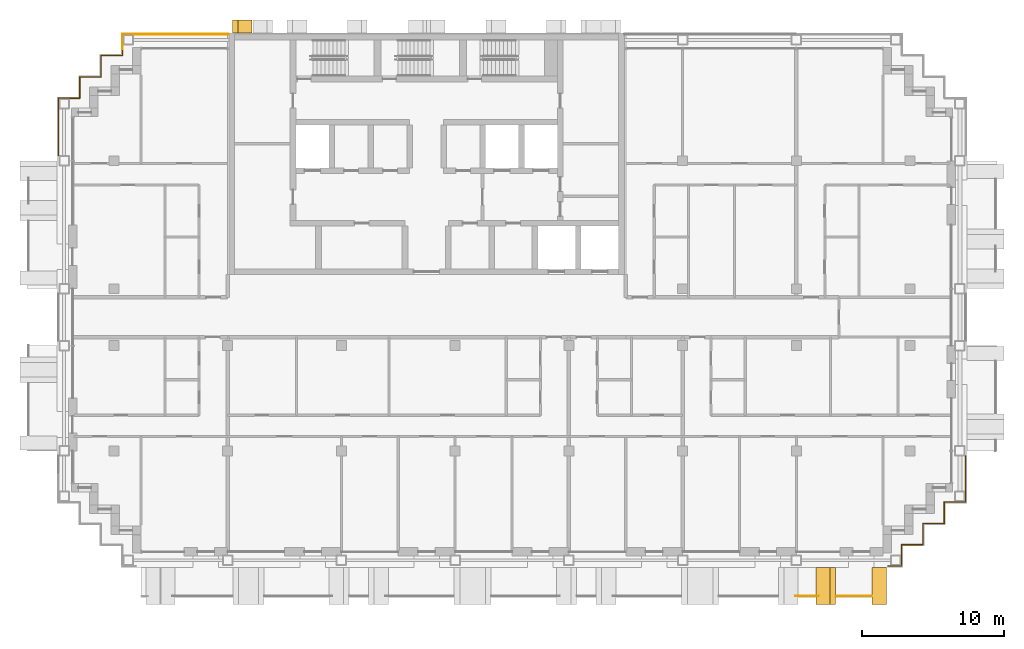
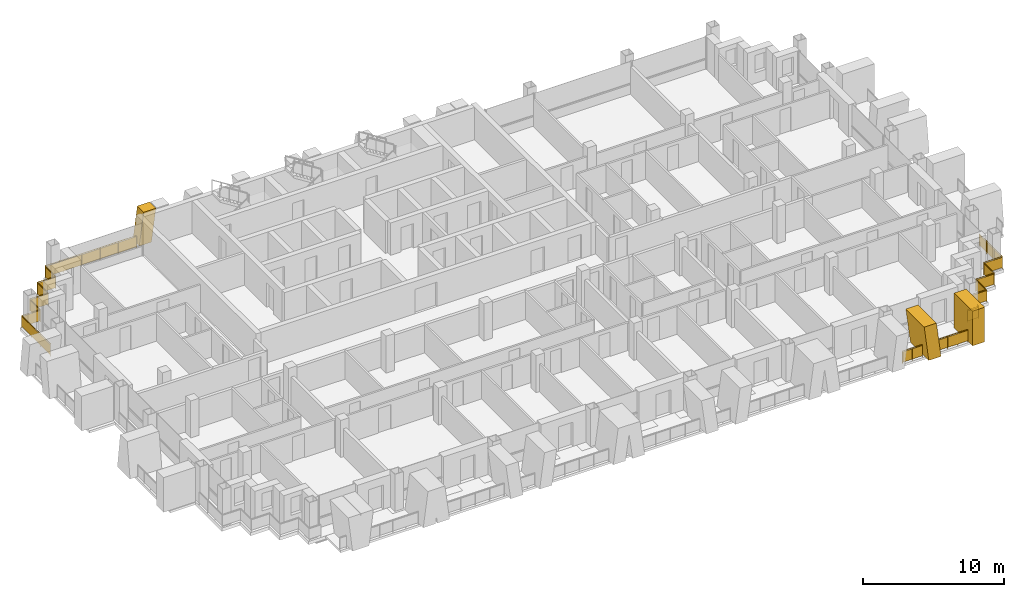
# One storey, part 14 of 16: 6 railings, 3 shading devices.
"""IFC4 building model written with IfcOpenShell, lengths in metres."""

from ifc_helpers import new_model, si_unit, direction, frame, origin, origin_2d, place, context, subcontext, project, spatial, polyline, rectangle, circle, outline, extrude, material, layer, layer_set, type_object, element, save


model = new_model("IFC4")

# Units and contexts
model_context = context("Model", 3, precision=1e-05, world=origin(), true_north=direction((0.0, 1.0)))
body_context = subcontext(model_context, "Body", "Model", "MODEL_VIEW")
ifc_project = project(units=[si_unit("LENGTHUNIT", "METRE"), si_unit("AREAUNIT", "SQUARE_METRE"), si_unit("VOLUMEUNIT", "CUBIC_METRE"), si_unit("PLANEANGLEUNIT", "RADIAN"), si_unit("MASSUNIT", "GRAM", prefix="KILO")], contexts=[model_context])

# Site, building, storey
site_placement = place(None, origin())
site = spatial("IfcSite", under=ifc_project, at=site_placement, CompositionType="ELEMENT")
building_placement = place(site_placement, origin())
building = spatial("IfcBuilding", under=site, at=building_placement, Name="Vidyagriha Tower", CompositionType="ELEMENT")
storey_placement = place(building_placement, frame((0.0, 0.0, 190.89990234375)))
storey = spatial("IfcBuildingStorey", under=building, at=storey_placement, Name="L50", CompositionType="ELEMENT", Elevation=190.89990234375)

# Railings
ifc_material_1 = material(Name="Steel ASTM A500 Grade C black painted", Category="steel")
railing_type_1 = type_object("IfcRailingType", Name="Balcony guard 1100", PredefinedType="BALUSTRADE", material=ifc_material_1)
railing_1_placement = place(storey_placement, frame((25.94384765625, -19.60009765625, 0.0)))
element("IfcRailing", 1, at=railing_1_placement, inside=storey, type_object=railing_type_1, Name="Balcony guard L50 R23.1-10", PredefinedType="BALUSTRADE", context=body_context, shape_type="SweptSolid", body=[
    extrude(circle(Radius=0.02490234375, at=origin_2d()), frame((0.0, 0.0, 1.0751953125), z_axis=(1.0, 0.0, 0.0), x_axis=(0.0, 1.0, 0.0)), (0.0, 0.0, 1.0), 1.6123046875),
    extrude(circle(Radius=0.02001953125, at=origin_2d()), origin(), (0.0, 0.0, 1.0), 1.050048828125),
    extrude(circle(Radius=0.02001953125, at=origin_2d()), frame((0.80615234375, 0.0, 0.0)), (0.0, 0.0, 1.0), 1.050048828125),
    extrude(circle(Radius=0.02001953125, at=origin_2d()), frame((1.6123046875, 0.0, 0.0)), (0.0, 0.0, 1.0), 1.050048828125),
    extrude(rectangle(XDim=0.010009765625, YDim=0.900146484375, at=origin_2d()), frame((0.0, 0.0, 0.550048828125), z_axis=(1.0, 0.0, 0.0), x_axis=(0.0, 1.0, 0.0)), (0.0, 0.0, 1.0), 1.6123046875),
])
railing_2_placement = place(storey_placement, frame((28.800048828125, -19.60009765625, 0.0)))
element("IfcRailing", 2, at=railing_2_placement, inside=storey, type_object=railing_type_1, Name="Balcony guard L50 R23.1-11", PredefinedType="BALUSTRADE", context=body_context, shape_type="SweptSolid", body=[
    extrude(circle(Radius=0.02490234375, at=origin_2d()), frame((0.0, 0.0, 1.0751953125), z_axis=(1.0, 0.0, 0.0), x_axis=(0.0, 1.0, 0.0)), (0.0, 0.0, 1.0), 2.474853515625),
    extrude(circle(Radius=0.02001953125, at=origin_2d()), origin(), (0.0, 0.0, 1.0), 1.050048828125),
    extrude(circle(Radius=0.02001953125, at=origin_2d()), frame((0.824951171875, 0.0, 0.0)), (0.0, 0.0, 1.0), 1.050048828125),
    extrude(circle(Radius=0.02001953125, at=origin_2d()), frame((1.64990234375, 0.0, 0.0)), (0.0, 0.0, 1.0), 1.050048828125),
    extrude(circle(Radius=0.02001953125, at=origin_2d()), frame((2.474853515625, 0.0, 0.0)), (0.0, 0.0, 1.0), 1.050048828125),
    extrude(rectangle(XDim=0.010009765625, YDim=0.900146484375, at=origin_2d()), frame((0.0, 0.0, 0.550048828125), z_axis=(1.0, 0.0, 0.0), x_axis=(0.0, 1.0, 0.0)), (0.0, 0.0, 1.0), 2.474853515625),
])

# Shading devices
ifc_material_2 = material(Name="Precast concrete C40/50 with buff brick facing", Category="concrete")
ifc_layer_1 = layer(ifc_material_2, 1.0)
ifc_layer_set_1 = layer_set([ifc_layer_1], Name="Precast concrete C40/50 with buff brick facing")
shading_device_type_1 = type_object("IfcShadingDeviceType", Name="Brick-faced blade fin arm leaning 8 degrees", PredefinedType="USERDEFINED", material=ifc_layer_set_1)
shading_device_1_placement = place(storey_placement, frame((27.375, -18.89990234375, 0.0)))
element("IfcShadingDevice", 3, at=shading_device_1_placement, inside=storey, type_object=shading_device_type_1, Name="Leaning blade fin L50 R23.4610a", ObjectType="BLADE FIN", PredefinedType="USERDEFINED", context=body_context, shape_type="SweptSolid", body=[
    extrude(outline(polyline([(0.375, 0.0), (1.375, 0.0), (1.0, 3.0), (0.0, 3.0), (0.375, 0.0)])), frame((0.0, 1.300048828125, 0.0), z_axis=(0.0, -1.0, 0.0), x_axis=(1.0, 0.0, 0.0)), (0.0, 0.0, 1.0), 2.60009765625),
])
ifc_material_3 = material(Name="Precast concrete C40/50 with buff brick facing", Category="concrete")
ifc_layer_2 = layer(ifc_material_3, 1.0)
ifc_layer_set_2 = layer_set([ifc_layer_2], Name="Precast concrete C40/50 with buff brick facing")
shading_device_type_2 = type_object("IfcShadingDeviceType", Name="Brick-faced blade fin stem 1000", PredefinedType="USERDEFINED", material=ifc_layer_set_2)
shading_device_2_placement = place(storey_placement, frame((31.324951171875, -18.89990234375, 0.0)))
element("IfcShadingDevice", 4, at=shading_device_2_placement, inside=storey, type_object=shading_device_type_2, Name="Stem blade fin L50 R23.5220a", ObjectType="BLADE FIN", PredefinedType="USERDEFINED", context=body_context, shape_type="SweptSolid", body=[
    extrude(outline(polyline([(0.0, 0.0), (1.0, 0.0), (1.0, 3.0), (0.0, 3.0), (0.0, 0.0)])), frame((0.0, 1.300048828125, 0.0), z_axis=(0.0, -1.0, 0.0), x_axis=(1.0, 0.0, 0.0)), (0.0, 0.0, 1.0), 2.60009765625),
])
ifc_material_4 = material(Name="Precast concrete C40/50 with brick facing", Category="concrete")
ifc_layer_3 = layer(ifc_material_4, 1.0)
ifc_layer_set_3 = layer_set([ifc_layer_3], Name="Precast concrete C40/50 with brick facing")
shading_device_type_3 = type_object("IfcShadingDeviceType", Name="Brick-faced rear rib arm leaning 8 degrees", PredefinedType="USERDEFINED", material=ifc_layer_set_3)
shading_device_3_placement = place(storey_placement, frame((-12.28564453125, 20.449951171875, 0.0), z_axis=(0.0, 0.0, 1.0), x_axis=(-1.0, 0.0, 0.0)))
element("IfcShadingDevice", 5, at=shading_device_3_placement, inside=storey, type_object=shading_device_type_3, Name="Rear rib arm L50 R08.5a", ObjectType="BLADE FIN", PredefinedType="USERDEFINED", context=body_context, shape_type="SweptSolid", body=[
    extrude(outline(polyline([(0.357177734375, 0.0), (1.357177734375, 0.0), (1.0, 2.800048828125), (0.0, 2.800048828125), (0.357177734375, 0.0)])), frame((0.0, 0.449951171875, 0.0), z_axis=(0.0, -1.0, 0.0), x_axis=(1.0, 0.0, 0.0)), (0.0, 0.0, 1.0), 0.89990234375),
])

# Railings
ifc_material_5 = material(Name="Steel ASTM A500 Grade C black painted", Category="steel")
railing_type_2 = type_object("IfcRailingType", Name="Gallery guard 1100", PredefinedType="GUARDRAIL", material=ifc_material_5)
railing_3_placement = place(storey_placement, frame((-25.89990234375, 11.360107421875, 0.0)))
element("IfcRailing", 6, at=railing_3_placement, inside=storey, type_object=railing_type_2, Name="Gallery guard L50 4", PredefinedType="GUARDRAIL", context=body_context, shape_type="SweptSolid", body=[
    extrude(circle(Radius=0.02490234375, at=origin_2d()), frame((0.0, 0.0, 1.0751953125), z_axis=(0.0, 1.0, 0.0), x_axis=(-1.0, 0.0, 0.0)), (0.0, 0.0, 1.0), 4.039794921875),
    extrude(circle(Radius=0.02490234375, at=origin_2d()), frame((0.0, 4.039794921875, 1.0751953125), z_axis=(1.0, 0.0, 0.0), x_axis=(0.0, 1.0, 0.0)), (0.0, 0.0, 1.0), 1.5),
    extrude(circle(Radius=0.02490234375, at=origin_2d()), frame((1.5, 4.039794921875, 1.0751953125), z_axis=(0.0, 1.0, 0.0), x_axis=(-1.0, 0.0, 0.0)), (0.0, 0.0, 1.0), 1.5),
    extrude(circle(Radius=0.02490234375, at=origin_2d()), frame((1.5, 5.539794921875, 1.0751953125), z_axis=(1.0, 0.0, 0.0), x_axis=(0.0, 1.0, 0.0)), (0.0, 0.0, 1.0), 1.5),
    extrude(circle(Radius=0.02490234375, at=origin_2d()), frame((3.0, 5.539794921875, 1.0751953125), z_axis=(0.0, 1.0, 0.0), x_axis=(-1.0, 0.0, 0.0)), (0.0, 0.0, 1.0), 1.5),
    extrude(circle(Radius=0.02490234375, at=origin_2d()), frame((3.0, 7.039794921875, 1.0751953125), z_axis=(1.0, 0.0, 0.0), x_axis=(0.0, 1.0, 0.0)), (0.0, 0.0, 1.0), 1.5),
    extrude(circle(Radius=0.02490234375, at=origin_2d()), frame((4.5, 7.039794921875, 1.0751953125), z_axis=(0.0, 1.0, 0.0), x_axis=(-1.0, 0.0, 0.0)), (0.0, 0.0, 1.0), 0.460205078125),
    extrude(circle(Radius=0.02001953125, at=origin_2d()), origin(), (0.0, 0.0, 1.0), 1.050048828125),
    extrude(circle(Radius=0.02001953125, at=origin_2d()), frame((0.0, 1.3466796875, 0.0)), (0.0, 0.0, 1.0), 1.050048828125),
    extrude(circle(Radius=0.02001953125, at=origin_2d()), frame((0.0, 2.693115234375, 0.0)), (0.0, 0.0, 1.0), 1.050048828125),
    extrude(circle(Radius=0.02001953125, at=origin_2d()), frame((0.0, 4.039794921875, 0.0)), (0.0, 0.0, 1.0), 1.050048828125),
    extrude(circle(Radius=0.02001953125, at=origin_2d()), frame((1.5, 4.039794921875, 0.0)), (0.0, 0.0, 1.0), 1.050048828125),
    extrude(circle(Radius=0.02001953125, at=origin_2d()), frame((1.5, 5.539794921875, 0.0)), (0.0, 0.0, 1.0), 1.050048828125),
    extrude(circle(Radius=0.02001953125, at=origin_2d()), frame((3.0, 5.539794921875, 0.0)), (0.0, 0.0, 1.0), 1.050048828125),
    extrude(circle(Radius=0.02001953125, at=origin_2d()), frame((3.0, 7.039794921875, 0.0)), (0.0, 0.0, 1.0), 1.050048828125),
    extrude(circle(Radius=0.02001953125, at=origin_2d()), frame((4.5, 7.039794921875, 0.0)), (0.0, 0.0, 1.0), 1.050048828125),
    extrude(circle(Radius=0.02001953125, at=origin_2d()), frame((4.5, 7.5, 0.0)), (0.0, 0.0, 1.0), 1.050048828125),
    extrude(rectangle(XDim=0.010009765625, YDim=0.900146484375, at=origin_2d()), frame((0.0, 0.0, 0.550048828125), z_axis=(0.0, 1.0, 0.0), x_axis=(-1.0, 0.0, 0.0)), (0.0, 0.0, 1.0), 4.039794921875),
    extrude(rectangle(XDim=0.010009765625, YDim=0.900146484375, at=origin_2d()), frame((0.0, 4.039794921875, 0.550048828125), z_axis=(1.0, 0.0, 0.0), x_axis=(0.0, 1.0, 0.0)), (0.0, 0.0, 1.0), 1.5),
    extrude(rectangle(XDim=0.010009765625, YDim=0.900146484375, at=origin_2d()), frame((1.5, 4.039794921875, 0.550048828125), z_axis=(0.0, 1.0, 0.0), x_axis=(-1.0, 0.0, 0.0)), (0.0, 0.0, 1.0), 1.5),
    extrude(rectangle(XDim=0.010009765625, YDim=0.900146484375, at=origin_2d()), frame((1.5, 5.539794921875, 0.550048828125), z_axis=(1.0, 0.0, 0.0), x_axis=(0.0, 1.0, 0.0)), (0.0, 0.0, 1.0), 1.5),
    extrude(rectangle(XDim=0.010009765625, YDim=0.900146484375, at=origin_2d()), frame((3.0, 5.539794921875, 0.550048828125), z_axis=(0.0, 1.0, 0.0), x_axis=(-1.0, 0.0, 0.0)), (0.0, 0.0, 1.0), 1.5),
    extrude(rectangle(XDim=0.010009765625, YDim=0.900146484375, at=origin_2d()), frame((3.0, 7.039794921875, 0.550048828125), z_axis=(1.0, 0.0, 0.0), x_axis=(0.0, 1.0, 0.0)), (0.0, 0.0, 1.0), 1.5),
    extrude(rectangle(XDim=0.010009765625, YDim=0.900146484375, at=origin_2d()), frame((4.5, 7.039794921875, 0.550048828125), z_axis=(0.0, 1.0, 0.0), x_axis=(-1.0, 0.0, 0.0)), (0.0, 0.0, 1.0), 0.460205078125),
])
railing_4_placement = place(storey_placement, frame((-21.39990234375, 18.860107421875, 0.0)))
element("IfcRailing", 7, at=railing_4_placement, inside=storey, type_object=railing_type_2, Name="Gallery guard L50 5", PredefinedType="GUARDRAIL", context=body_context, shape_type="SweptSolid", body=[
    extrude(circle(Radius=0.02490234375, at=origin_2d()), frame((0.0, 0.0, 1.0751953125), z_axis=(0.0, 1.0, 0.0), x_axis=(-1.0, 0.0, 0.0)), (0.0, 0.0, 1.0), 1.039794921875),
    extrude(circle(Radius=0.02490234375, at=origin_2d()), frame((0.0, 1.039794921875, 1.0751953125), z_axis=(1.0, 0.0, 0.0), x_axis=(0.0, 1.0, 0.0)), (0.0, 0.0, 1.0), 7.469970703125),
    extrude(circle(Radius=0.02001953125, at=origin_2d()), origin(), (0.0, 0.0, 1.0), 1.050048828125),
    extrude(circle(Radius=0.02001953125, at=origin_2d()), frame((0.0, 1.039794921875, 0.0)), (0.0, 0.0, 1.0), 1.050048828125),
    extrude(circle(Radius=0.02001953125, at=origin_2d()), frame((1.493896484375, 1.039794921875, 0.0)), (0.0, 0.0, 1.0), 1.050048828125),
    extrude(circle(Radius=0.02001953125, at=origin_2d()), frame((2.988037109375, 1.039794921875, 0.0)), (0.0, 0.0, 1.0), 1.050048828125),
    extrude(circle(Radius=0.02001953125, at=origin_2d()), frame((4.48193359375, 1.039794921875, 0.0)), (0.0, 0.0, 1.0), 1.050048828125),
    extrude(circle(Radius=0.02001953125, at=origin_2d()), frame((5.97607421875, 1.039794921875, 0.0)), (0.0, 0.0, 1.0), 1.050048828125),
    extrude(circle(Radius=0.02001953125, at=origin_2d()), frame((7.469970703125, 1.039794921875, 0.0)), (0.0, 0.0, 1.0), 1.050048828125),
    extrude(rectangle(XDim=0.010009765625, YDim=0.900146484375, at=origin_2d()), frame((0.0, 0.0, 0.550048828125), z_axis=(0.0, 1.0, 0.0), x_axis=(-1.0, 0.0, 0.0)), (0.0, 0.0, 1.0), 1.039794921875),
    extrude(rectangle(XDim=0.010009765625, YDim=0.900146484375, at=origin_2d()), frame((0.0, 1.039794921875, 0.550048828125), z_axis=(1.0, 0.0, 0.0), x_axis=(0.0, 1.0, 0.0)), (0.0, 0.0, 1.0), 7.469970703125),
])
railing_5_placement = place(storey_placement, frame((37.89990234375, -9.760009765625, 0.0)))
element("IfcRailing", 8, at=railing_5_placement, inside=storey, type_object=railing_type_2, Name="Gallery guard L50 9", PredefinedType="GUARDRAIL", context=body_context, shape_type="SweptSolid", body=[
    extrude(circle(Radius=0.02490234375, at=origin_2d()), frame((0.0, 0.0, 1.0751953125), z_axis=(0.0, -1.0, 0.0), x_axis=(1.0, 0.0, 0.0)), (0.0, 0.0, 1.0), 3.239990234375),
    extrude(circle(Radius=0.02490234375, at=origin_2d()), frame((0.0, -3.239990234375, 1.0751953125), z_axis=(-1.0, 0.0, 0.0), x_axis=(0.0, -1.0, 0.0)), (0.0, 0.0, 1.0), 1.5),
    extrude(circle(Radius=0.02490234375, at=origin_2d()), frame((-1.5, -3.239990234375, 1.0751953125), z_axis=(0.0, -1.0, 0.0), x_axis=(1.0, 0.0, 0.0)), (0.0, 0.0, 1.0), 1.5),
    extrude(circle(Radius=0.02490234375, at=origin_2d()), frame((-1.5, -4.739990234375, 1.0751953125), z_axis=(-1.0, 0.0, 0.0), x_axis=(0.0, -1.0, 0.0)), (0.0, 0.0, 1.0), 1.5),
    extrude(circle(Radius=0.02490234375, at=origin_2d()), frame((-3.0, -4.739990234375, 1.0751953125), z_axis=(0.0, -1.0, 0.0), x_axis=(1.0, 0.0, 0.0)), (0.0, 0.0, 1.0), 1.5),
    extrude(circle(Radius=0.02490234375, at=origin_2d()), frame((-3.0, -6.239990234375, 1.0751953125), z_axis=(-1.0, 0.0, 0.0), x_axis=(0.0, -1.0, 0.0)), (0.0, 0.0, 1.0), 1.5),
    extrude(circle(Radius=0.02490234375, at=origin_2d()), frame((-4.5, -6.239990234375, 1.0751953125), z_axis=(0.0, -1.0, 0.0), x_axis=(1.0, 0.0, 0.0)), (0.0, 0.0, 1.0), 1.260009765625),
    extrude(circle(Radius=0.02001953125, at=origin_2d()), origin(), (0.0, 0.0, 1.0), 1.050048828125),
    extrude(circle(Radius=0.02001953125, at=origin_2d()), frame((0.0, -1.080078125, 0.0)), (0.0, 0.0, 1.0), 1.050048828125),
    extrude(circle(Radius=0.02001953125, at=origin_2d()), frame((0.0, -2.159912109375, 0.0)), (0.0, 0.0, 1.0), 1.050048828125),
    extrude(circle(Radius=0.02001953125, at=origin_2d()), frame((0.0, -3.239990234375, 0.0)), (0.0, 0.0, 1.0), 1.050048828125),
    extrude(circle(Radius=0.02001953125, at=origin_2d()), frame((-1.5, -3.239990234375, 0.0)), (0.0, 0.0, 1.0), 1.050048828125),
    extrude(circle(Radius=0.02001953125, at=origin_2d()), frame((-1.5, -4.739990234375, 0.0)), (0.0, 0.0, 1.0), 1.050048828125),
    extrude(circle(Radius=0.02001953125, at=origin_2d()), frame((-3.0, -4.739990234375, 0.0)), (0.0, 0.0, 1.0), 1.050048828125),
    extrude(circle(Radius=0.02001953125, at=origin_2d()), frame((-3.0, -6.239990234375, 0.0)), (0.0, 0.0, 1.0), 1.050048828125),
    extrude(circle(Radius=0.02001953125, at=origin_2d()), frame((-4.5, -6.239990234375, 0.0)), (0.0, 0.0, 1.0), 1.050048828125),
    extrude(circle(Radius=0.02001953125, at=origin_2d()), frame((-4.5, -7.5, 0.0)), (0.0, 0.0, 1.0), 1.050048828125),
    extrude(rectangle(XDim=0.010009765625, YDim=0.900146484375, at=origin_2d()), frame((0.0, 0.0, 0.550048828125), z_axis=(0.0, -1.0, 0.0), x_axis=(1.0, 0.0, 0.0)), (0.0, 0.0, 1.0), 3.239990234375),
    extrude(rectangle(XDim=0.010009765625, YDim=0.900146484375, at=origin_2d()), frame((0.0, -3.239990234375, 0.550048828125), z_axis=(-1.0, 0.0, 0.0), x_axis=(0.0, -1.0, 0.0)), (0.0, 0.0, 1.0), 1.5),
    extrude(rectangle(XDim=0.010009765625, YDim=0.900146484375, at=origin_2d()), frame((-1.5, -3.239990234375, 0.550048828125), z_axis=(0.0, -1.0, 0.0), x_axis=(1.0, 0.0, 0.0)), (0.0, 0.0, 1.0), 1.5),
    extrude(rectangle(XDim=0.010009765625, YDim=0.900146484375, at=origin_2d()), frame((-1.5, -4.739990234375, 0.550048828125), z_axis=(-1.0, 0.0, 0.0), x_axis=(0.0, -1.0, 0.0)), (0.0, 0.0, 1.0), 1.5),
    extrude(rectangle(XDim=0.010009765625, YDim=0.900146484375, at=origin_2d()), frame((-3.0, -4.739990234375, 0.550048828125), z_axis=(0.0, -1.0, 0.0), x_axis=(1.0, 0.0, 0.0)), (0.0, 0.0, 1.0), 1.5),
    extrude(rectangle(XDim=0.010009765625, YDim=0.900146484375, at=origin_2d()), frame((-3.0, -6.239990234375, 0.550048828125), z_axis=(-1.0, 0.0, 0.0), x_axis=(0.0, -1.0, 0.0)), (0.0, 0.0, 1.0), 1.5),
    extrude(rectangle(XDim=0.010009765625, YDim=0.900146484375, at=origin_2d()), frame((-4.5, -6.239990234375, 0.550048828125), z_axis=(0.0, -1.0, 0.0), x_axis=(1.0, 0.0, 0.0)), (0.0, 0.0, 1.0), 1.260009765625),
])
railing_6_placement = place(storey_placement, frame((33.39990234375, -17.260009765625, 0.0)))
element("IfcRailing", 9, at=railing_6_placement, inside=storey, type_object=railing_type_2, Name="Gallery guard L50 10", PredefinedType="GUARDRAIL", context=body_context, shape_type="SweptSolid", body=[
    extrude(circle(Radius=0.02490234375, at=origin_2d()), frame((0.0, 0.0, 1.0751953125), z_axis=(0.0, -1.0, 0.0), x_axis=(1.0, 0.0, 0.0)), (0.0, 0.0, 1.0), 0.239990234375),
    extrude(circle(Radius=0.02490234375, at=origin_2d()), frame((0.0, -0.239990234375, 1.0751953125), z_axis=(-1.0, 0.0, 0.0), x_axis=(0.0, -1.0, 0.0)), (0.0, 0.0, 1.0), 0.93994140625),
    extrude(circle(Radius=0.02001953125, at=origin_2d()), origin(), (0.0, 0.0, 1.0), 1.050048828125),
    extrude(circle(Radius=0.02001953125, at=origin_2d()), frame((0.0, -0.239990234375, 0.0)), (0.0, 0.0, 1.0), 1.050048828125),
    extrude(circle(Radius=0.02001953125, at=origin_2d()), frame((-0.93994140625, -0.239990234375, 0.0)), (0.0, 0.0, 1.0), 1.050048828125),
    extrude(rectangle(XDim=0.010009765625, YDim=0.900146484375, at=origin_2d()), frame((0.0, 0.0, 0.550048828125), z_axis=(0.0, -1.0, 0.0), x_axis=(1.0, 0.0, 0.0)), (0.0, 0.0, 1.0), 0.239990234375),
    extrude(rectangle(XDim=0.010009765625, YDim=0.900146484375, at=origin_2d()), frame((0.0, -0.239990234375, 0.550048828125), z_axis=(-1.0, 0.0, 0.0), x_axis=(0.0, -1.0, 0.0)), (0.0, 0.0, 1.0), 0.93994140625),
])

save(model, "model.ifc")
